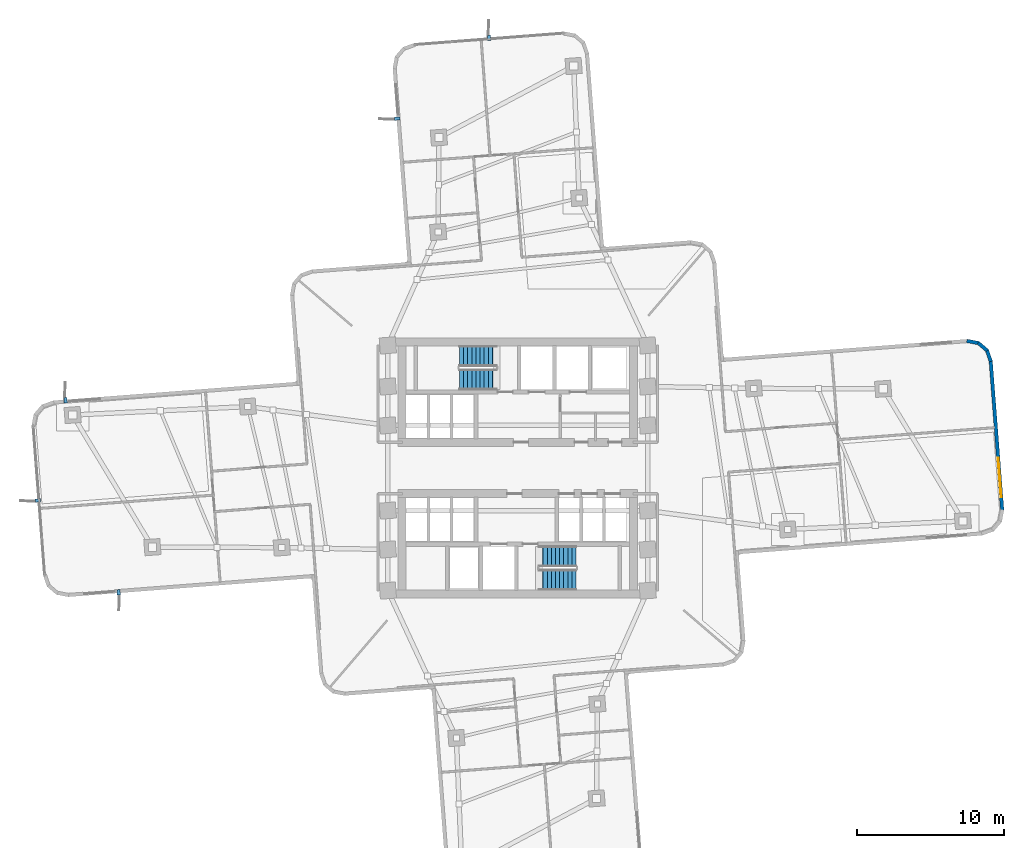
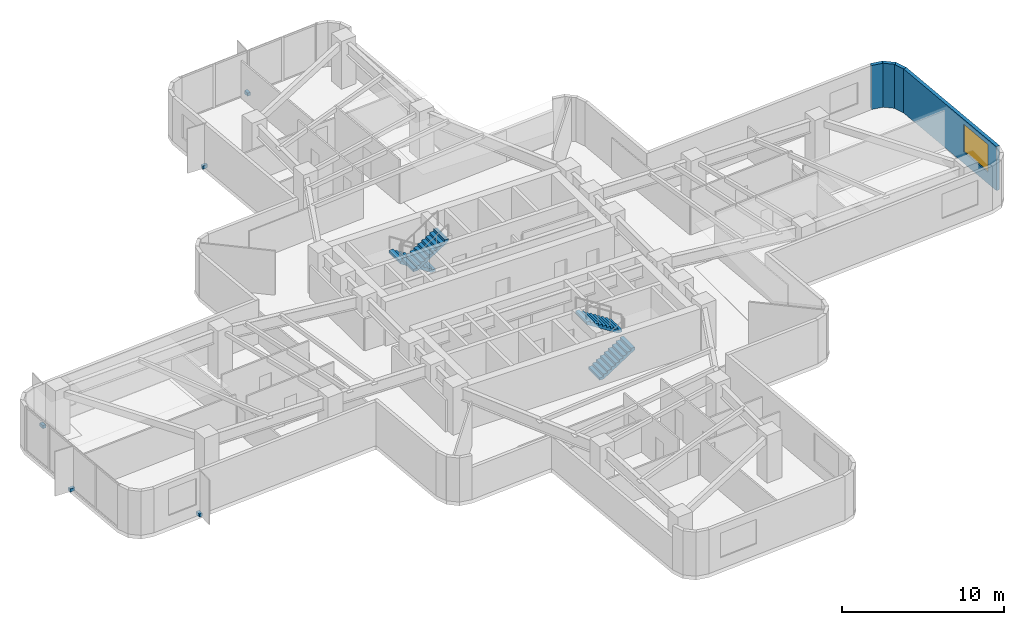
# One storey, part 11 of 15: 5 discrete accessories, 4 stair flights, 4 walls, 1 window, 1 opening, 2 elements without a shape of their own.
"""IFC4 building model written with IfcOpenShell, lengths in metres."""

from ifc_helpers import new_model, si_unit, direction, frame, frame_2d, origin, origin_2d, place, context, subcontext, project, spatial, polyline, rectangle, outline, extrude, material, layer, layer_set, type_object, element, fill, aggregate, save


model = new_model("IFC4")

# Units and contexts
model_context = context("Model", 3, precision=1e-05, world=origin(), true_north=direction((0.0, 1.0)))
body_context = subcontext(model_context, "Body", "Model", "MODEL_VIEW")
ifc_project = project(units=[si_unit("LENGTHUNIT", "METRE"), si_unit("AREAUNIT", "SQUARE_METRE"), si_unit("VOLUMEUNIT", "CUBIC_METRE"), si_unit("PLANEANGLEUNIT", "RADIAN"), si_unit("MASSUNIT", "GRAM", prefix="KILO")], contexts=[model_context])

# Site, building, storey
site_placement = place(None, origin())
site = spatial("IfcSite", under=ifc_project, at=site_placement, CompositionType="ELEMENT")
building_placement = place(site_placement, origin())
building = spatial("IfcBuilding", under=site, at=building_placement, Name="Solmarez Civic Tower", CompositionType="ELEMENT")
storey_placement = place(building_placement, frame((0.0, 0.0, 60.47998046875)))
storey = spatial("IfcBuildingStorey", under=building, at=storey_placement, Name="L15", CompositionType="ELEMENT", Elevation=60.47998046875)

# Walls
ifc_material_1 = material(Name="Precast concrete C40/50", Category="concrete")
ifc_layer = layer(ifc_material_1, 0.239990234375)
ifc_layer_set = layer_set([ifc_layer], Name="Precast concrete C40/50")
wall_type = type_object("IfcWallType", Name="WALL-EXT-240", PredefinedType="SOLIDWALL", material=ifc_layer_set)
wall_1_placement = place(storey_placement, frame((30.5849609375, 8.658935546875, 0.0), z_axis=(0.0, 0.0, 1.0), x_axis=(0.982688894005, -0.185263427582, 0.0)))
element("IfcWall", 1, at=wall_1_placement, inside=storey, type_object=wall_type, Name="L15 Exterior Precast Wall 39", PredefinedType="SOLIDWALL", context=body_context, shape_type="SweptSolid", body=[
    extrude(rectangle(XDim=0.83154296875, YDim=0.239990234375, at=frame_2d((0.415771484375, 0.0))), origin(), (0.0, 0.0, 1.0), 3.320068359375),
])
wall_2_placement = place(storey_placement, frame((31.35791015625, 8.52587890625, 0.0), z_axis=(0.0, 0.0, 1.0), x_axis=(0.759891778471, -0.650049601962, 0.0)))
element("IfcWall", 2, at=wall_2_placement, inside=storey, type_object=wall_type, Name="L15 Exterior Precast Wall 40", PredefinedType="SOLIDWALL", context=body_context, shape_type="SweptSolid", body=[
    extrude(rectangle(XDim=0.8134765625, YDim=0.239990234375, at=frame_2d((0.40673828125, 0.0))), origin(), (0.0, 0.0, 1.0), 3.320068359375),
])
wall_3_placement = place(storey_placement, frame((31.948974609375, 8.037109375, 0.0), z_axis=(0.0, 0.0, 1.0), x_axis=(0.332128799234, -0.943234043448, 0.0)))
element("IfcWall", 3, at=wall_3_placement, inside=storey, type_object=wall_type, Name="L15 Exterior Precast Wall 41", PredefinedType="SOLIDWALL", context=body_context, shape_type="SweptSolid", body=[
    extrude(rectangle(XDim=0.831298828125, YDim=0.239990234375, at=frame_2d((0.41552734375, 0.0))), origin(), (0.0, 0.0, 1.0), 3.320068359375),
])

# Wall, opening, window
wall_4_placement = place(storey_placement, frame((32.215087890625, 7.302001953125, 0.0), z_axis=(0.0, 0.0, 1.0), x_axis=(0.076720251263, -0.997052658111, 0.0)))
wall_4 = element("IfcWall", 4, at=wall_4_placement, inside=storey, type_object=wall_type, Name="L15 Exterior Precast Wall 42", PredefinedType="SOLIDWALL", context=body_context, shape_type="SweptSolid", body=[
    extrude(rectangle(XDim=10.218017578125, YDim=0.239990234375, at=frame_2d((5.10888671875, 0.0))), origin(), (0.0, 0.0, 1.0), 3.320068359375),
])
opening_placement = place(wall_4_placement, frame((6.6201171875, 0.0, 0.85009765625)))
opening = element("IfcOpeningElement", 5, at=opening_placement, cuts=wall_4, Name="Opening W-01", PredefinedType="OPENING", context=body_context, shape_type="SweptSolid", body=[
    extrude(rectangle(XDim=2.699951171875, YDim=2.10009765625, at=frame_2d((1.35009765625, 1.050048828125))), frame((0.0, 0.1298828125, 0.0), z_axis=(0.0, -1.0, 0.0), x_axis=(1.0, 0.0, 0.0)), (0.0, 0.0, 1.0), 0.260009765625),
])
ifc_material_2 = material(Name="Solar Control Bronze-Tinted Insulating Glass", Category="glass")
window_type = type_object("IfcWindowType", Name="WIN-2700X2100", PartitioningType="SINGLE_PANEL", PredefinedType="WINDOW", material=ifc_material_2)
window_placement = place(opening_placement, origin())
window = element("IfcWindow", 6, at=window_placement, inside=storey, type_object=window_type, Name="L15 Exterior Facade Window 42", OverallHeight=2.10009765625, OverallWidth=2.699951171875, PartitioningType="SINGLE_PANEL", PredefinedType="WINDOW", context=body_context, shape_type="SweptSolid", body=[
    extrude(rectangle(XDim=2.699951171875, YDim=2.10009765625, at=frame_2d((1.35009765625, 1.050048828125))), frame((0.0, 0.030029296875, 0.0), z_axis=(0.0, -1.0, 0.0), x_axis=(1.0, 0.0, 0.0)), (0.0, 0.0, 1.0), 0.06005859375),
])
fill(opening, window)

# Stair, stair flights
ifc_material_3 = material(Name="Concrete C50/60", Category="concrete")
stair_type = type_object("IfcStairType", Name="STAIR-DOGLEG-140W-20R-1800", PredefinedType="HALF_TURN_STAIR", material=ifc_material_3)
stair_1_placement = place(storey_placement, origin())
stair_1 = element("IfcStair", 7, at=stair_1_placement, inside=storey, type_object=stair_type, Name="L15 North Core Protected Exit Stair ST-1", PredefinedType="HALF_TURN_STAIR")
stair_flight_type = type_object("IfcStairFlightType", Name="FLIGHT-DOGLEG-140W-10R-1800", PredefinedType="STRAIGHT", material=ifc_material_3)
stair_flight_1_placement = place(storey_placement, frame((-1.449951171875, 7.6201171875, 0.0), z_axis=(0.0, 0.0, 1.0), x_axis=(-1.0, 0.0, 0.0)))
stair_flight_1 = element("IfcStairFlight", 8, at=stair_flight_1_placement, type_object=stair_flight_type, Name="ST-1 flight 1", NumberOfRisers=10, NumberOfTreads=9, PredefinedType="STRAIGHT", RiserHeight=0.18, TreadLength=0.28, context=body_context, shape_type="SweptSolid", body=[
    extrude(outline(polyline([(0.0, 0.0), (0.0, 0.179931640625), (0.280029296875, 0.179931640625), (0.280029296875, 0.360107421875), (0.56005859375, 0.360107421875), (0.56005859375, 0.5400390625), (0.840087890625, 0.5400390625), (0.840087890625, 0.719970703125), (1.1201171875, 0.719970703125), (1.1201171875, 0.89990234375), (1.39990234375, 0.89990234375), (1.39990234375, 1.080078125), (1.679931640625, 1.080078125), (1.679931640625, 1.260009765625), (1.9599609375, 1.260009765625), (1.9599609375, 1.43994140625), (2.239990234375, 1.43994140625), (2.239990234375, 1.6201171875), (2.52001953125, 1.6201171875), (2.52001953125, 1.800048828125), (2.52001953125, 1.429931640625), (0.295654296875, 0.0), (0.0, 0.0)])), frame((0.0, 0.699951171875, 0.0), z_axis=(0.0, -1.0, 0.0), x_axis=(1.0, 0.0, 0.0)), (0.0, 0.0, 1.0), 1.39990234375),
])
stair_flight_2_placement = place(storey_placement, frame((-3.969970703125, 6.02001953125, 1.800048828125), z_axis=(0.0, 0.0, 1.0), x_axis=(1.0, 0.0, 0.0)))
stair_flight_2 = element("IfcStairFlight", 9, at=stair_flight_2_placement, type_object=stair_flight_type, Name="ST-1 flight 2", NumberOfRisers=10, NumberOfTreads=9, PredefinedType="STRAIGHT", RiserHeight=0.18, TreadLength=0.28, context=body_context, shape_type="SweptSolid", body=[
    extrude(outline(polyline([(0.0, 0.0), (0.0, 0.179931640625), (0.280029296875, 0.179931640625), (0.280029296875, 0.360107421875), (0.56005859375, 0.360107421875), (0.56005859375, 0.5400390625), (0.840087890625, 0.5400390625), (0.840087890625, 0.719970703125), (1.1201171875, 0.719970703125), (1.1201171875, 0.89990234375), (1.39990234375, 0.89990234375), (1.39990234375, 1.080078125), (1.679931640625, 1.080078125), (1.679931640625, 1.260009765625), (1.9599609375, 1.260009765625), (1.9599609375, 1.43994140625), (2.239990234375, 1.43994140625), (2.239990234375, 1.6201171875), (2.52001953125, 1.6201171875), (2.52001953125, 1.800048828125), (2.52001953125, 1.429931640625), (0.295654296875, 0.0), (0.0, 0.0)])), frame((0.0, 0.699951171875, 0.0), z_axis=(0.0, -1.0, 0.0), x_axis=(1.0, 0.0, 0.0)), (0.0, 0.0, 1.0), 1.39990234375),
])
aggregate(stair_1, [stair_flight_1, stair_flight_2])

stair_2_placement = place(storey_placement, origin())
stair_2 = element("IfcStair", 10, at=stair_2_placement, inside=storey, type_object=stair_type, Name="L15 South Core Protected Exit Stair ST-2", PredefinedType="HALF_TURN_STAIR")
stair_flight_3_placement = place(storey_placement, frame((1.449951171875, -7.6201171875, 0.0), z_axis=(0.0, 0.0, 1.0), x_axis=(1.0, 0.0, 0.0)))
stair_flight_3 = element("IfcStairFlight", 11, at=stair_flight_3_placement, type_object=stair_flight_type, Name="ST-2 flight 1", NumberOfRisers=10, NumberOfTreads=9, PredefinedType="STRAIGHT", RiserHeight=0.18, TreadLength=0.28, context=body_context, shape_type="SweptSolid", body=[
    extrude(outline(polyline([(0.0, 0.0), (0.0, 0.179931640625), (0.280029296875, 0.179931640625), (0.280029296875, 0.360107421875), (0.56005859375, 0.360107421875), (0.56005859375, 0.5400390625), (0.840087890625, 0.5400390625), (0.840087890625, 0.719970703125), (1.1201171875, 0.719970703125), (1.1201171875, 0.89990234375), (1.39990234375, 0.89990234375), (1.39990234375, 1.080078125), (1.679931640625, 1.080078125), (1.679931640625, 1.260009765625), (1.9599609375, 1.260009765625), (1.9599609375, 1.43994140625), (2.239990234375, 1.43994140625), (2.239990234375, 1.6201171875), (2.52001953125, 1.6201171875), (2.52001953125, 1.800048828125), (2.52001953125, 1.429931640625), (0.295654296875, 0.0), (0.0, 0.0)])), frame((0.0, 0.699951171875, 0.0), z_axis=(0.0, -1.0, 0.0), x_axis=(1.0, 0.0, 0.0)), (0.0, 0.0, 1.0), 1.39990234375),
])
stair_flight_4_placement = place(storey_placement, frame((3.969970703125, -6.02001953125, 1.800048828125), z_axis=(0.0, 0.0, 1.0), x_axis=(-1.0, 0.0, 0.0)))
stair_flight_4 = element("IfcStairFlight", 12, at=stair_flight_4_placement, type_object=stair_flight_type, Name="ST-2 flight 2", NumberOfRisers=10, NumberOfTreads=9, PredefinedType="STRAIGHT", RiserHeight=0.18, TreadLength=0.28, context=body_context, shape_type="SweptSolid", body=[
    extrude(outline(polyline([(0.0, 0.0), (0.0, 0.179931640625), (0.280029296875, 0.179931640625), (0.280029296875, 0.360107421875), (0.56005859375, 0.360107421875), (0.56005859375, 0.5400390625), (0.840087890625, 0.5400390625), (0.840087890625, 0.719970703125), (1.1201171875, 0.719970703125), (1.1201171875, 0.89990234375), (1.39990234375, 0.89990234375), (1.39990234375, 1.080078125), (1.679931640625, 1.080078125), (1.679931640625, 1.260009765625), (1.9599609375, 1.260009765625), (1.9599609375, 1.43994140625), (2.239990234375, 1.43994140625), (2.239990234375, 1.6201171875), (2.52001953125, 1.6201171875), (2.52001953125, 1.800048828125), (2.52001953125, 1.429931640625), (0.295654296875, 0.0), (0.0, 0.0)])), frame((0.0, 0.699951171875, 0.0), z_axis=(0.0, -1.0, 0.0), x_axis=(1.0, 0.0, 0.0)), (0.0, 0.0, 1.0), 1.39990234375),
])
aggregate(stair_2, [stair_flight_3, stair_flight_4])

# Discrete accessories
ifc_material_4 = material(Name="Stainless Steel Grade 1.4401", Category="steel")
discrete_accessory_type = type_object("IfcDiscreteAccessoryType", Name="BRACKET-SS-FIN", PredefinedType="BRACKET", material=ifc_material_4)
for number, where, z_axis, x_axis, name in (
    (13, (-27.18896484375, -8.470947265625, -0.06005859375), (0.0, 0.0, 1.0), (0.076701063381, -0.997054134376, 0.0), "L15 Stainless Fin Support Bracket FIN-L15-01"),
    (14, (-32.68701171875, -2.214111328125, -0.06005859375), (0.0, 0.0, 1.0), (-0.997053328352, -0.076711540351, 0.0), "L15 Stainless Fin Support Bracket FIN-L15-02"),
    (15, (-30.803955078125, 4.610107421875, -0.06005859375), (0.0, 0.0, 1.0), (-0.076755833377, 0.997049919534, 0.0), "L15 Stainless Fin Support Bracket FIN-L15-03"),
    (16, (-8.2109375, 23.800048828125, -0.06005859375), (0.0, 0.0, 1.0), (-0.997055806803, -0.07667932003, 0.0), "L15 Stainless Fin Support Bracket FIN-L15-04"),
    (17, (-1.952880859375, 29.297119140625, -0.06005859375), (0.0, 0.0, 1.0), (-0.076711540351, 0.997053328352, 0.0), "L15 Stainless Fin Support Bracket FIN-L15-05"),
):
    element("IfcDiscreteAccessory", number, at=place(storey_placement, frame(where, z_axis=z_axis, x_axis=x_axis)), inside=storey, type_object=discrete_accessory_type, Name=name, PredefinedType="BRACKET", context=body_context, shape_type="SweptSolid", body=[
        extrude(rectangle(XDim=0.360107421875, YDim=0.219970703125, at=origin_2d()), origin(), (0.0, 0.0, 1.0), 0.239990234375),
    ])

save(model, "model.ifc")
